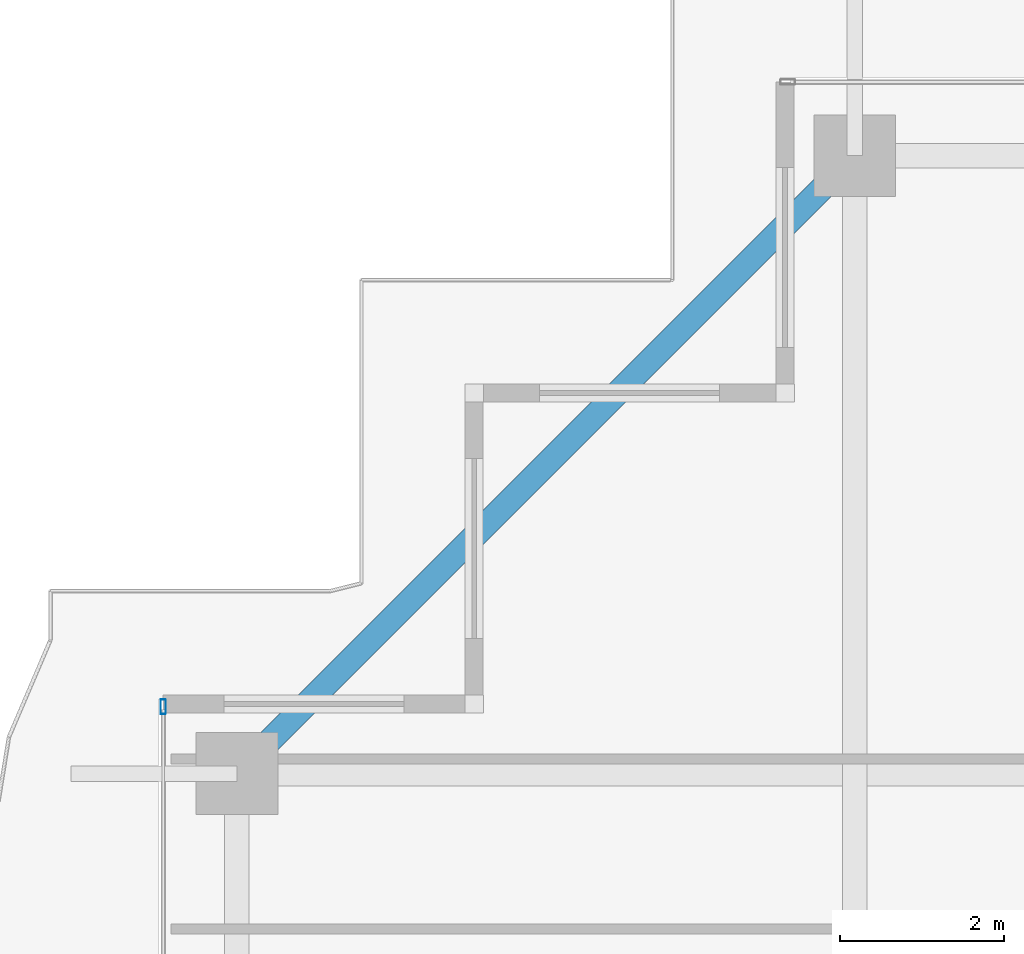
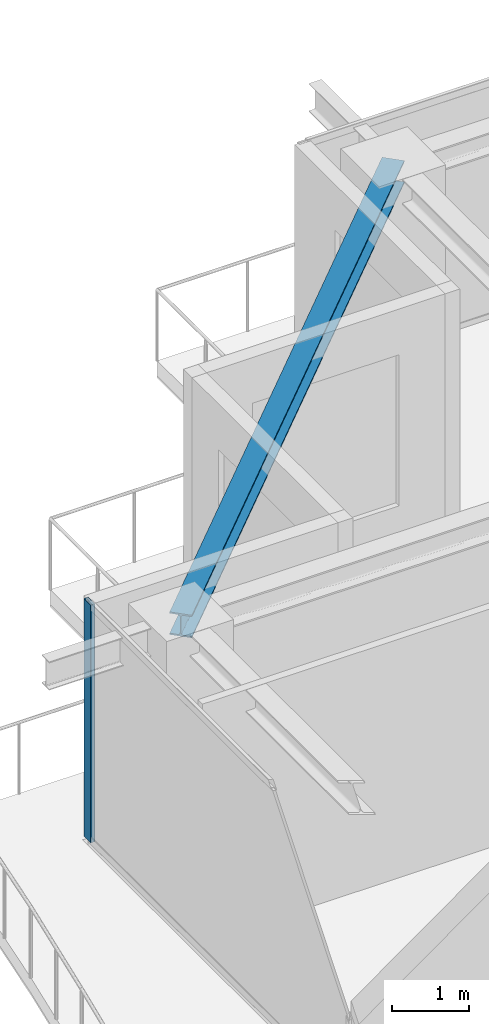
# One storey, part 19 of 38: 1 beam, 1 member, 1 element without a shape of its own.
"""IFC4 building model written with IfcOpenShell, lengths in metres."""

from ifc_helpers import new_model, si_unit, direction, frame, origin, origin_2d, place, context, subcontext, project, spatial, hollow_rectangle, i_section, extrude, source, transform, mapped, material, layer, layer_set, material_profile, profile_set, type_object, element, aggregate, save


model = new_model("IFC4")

# Units and contexts
model_context = context("Model", 3, precision=1e-05, world=origin(), true_north=direction((0.0, 1.0)))
body_context = subcontext(model_context, "Body", "Model", "MODEL_VIEW")
ifc_project = project(units=[si_unit("LENGTHUNIT", "METRE"), si_unit("AREAUNIT", "SQUARE_METRE"), si_unit("VOLUMEUNIT", "CUBIC_METRE"), si_unit("PLANEANGLEUNIT", "RADIAN"), si_unit("MASSUNIT", "GRAM", prefix="KILO")], contexts=[model_context])

# Site, building, storey
site_placement = place(None, origin())
site = spatial("IfcSite", under=ifc_project, at=site_placement, CompositionType="ELEMENT")
building_placement = place(site_placement, origin())
building = spatial("IfcBuilding", under=site, at=building_placement, Name="Serunith Strait Residences", CompositionType="ELEMENT")
storey_placement = place(building_placement, frame((0.0, 0.0, 321.800048828125)))
storey = spatial("IfcBuildingStorey", under=building, at=storey_placement, Name="L80", CompositionType="ELEMENT", Elevation=321.800048828125)

# Beam
ifc_material_1 = material(Name="Steel S355J2", Category="steel")
ifc_material_profile_1 = material_profile(ifc_material_1, i_section(OverallWidth=0.300048828125, OverallDepth=0.360107421875, WebThickness=0.012451171875, FlangeThickness=0.0224609375, FilletRadius=0.027099609375, at=origin_2d()), Name="HEB 360")
ifc_profile_set_1 = profile_set([ifc_material_profile_1], Name="Steel S355J2")
beam_type = type_object("IfcBeamType", Name="BM-HEB360", PredefinedType="BEAM", material=ifc_profile_set_1)
shared_shape_1 = source(origin(), body_context, "Body", "SweptSolid", [
    extrude(i_section(OverallWidth=0.300048828125, OverallDepth=0.360107421875, WebThickness=0.012451171875, FlangeThickness=0.0224609375, FilletRadius=0.027099609375, at=origin_2d()), origin(), (0.0, 0.0, 1.0), 10.67724609375),
])
beam_placement = place(storey_placement, frame((17.64990234375, 47.10009765625, 3.576904296875), z_axis=(-0.707095348302, -0.707118213887, 0.0), x_axis=(0.707118213887, -0.707095348302, 0.0)))
element("IfcBeam", 1, at=beam_placement, inside=storey, type_object=beam_type, Name="L80 Perimeter Ring Beam 12", PredefinedType="BEAM", context=body_context, shape_type="MappedRepresentation", body=[
    mapped(shared_shape_1, transform((0.0, 0.0, 0.0), scale=1.0)),
])

# Curtain wall, member
ifc_material_2 = material(Name="Brushed Stainless-Silver Aluminium", Category="aluminium")
ifc_layer = layer(ifc_material_2, 0.199951171875, Name="Brushed Stainless-Silver Aluminium")
ifc_layer_set = layer_set([ifc_layer], Name="Brushed Stainless-Silver Aluminium")
curtain_wall_type = type_object("IfcCurtainWallType", Name="CW-SYS5", PredefinedType="NOTDEFINED", material=ifc_layer_set)
curtain_wall_placement = place(storey_placement, origin())
curtain_wall = element("IfcCurtainWall", 2, at=curtain_wall_placement, inside=storey, type_object=curtain_wall_type, Name="L80 W Unitised Fritted Curtain Wall", PredefinedType="NOTDEFINED")
ifc_material_profile_2 = material_profile(ifc_material_2, hollow_rectangle(XDim=0.06494140625, YDim=0.179931640625, WallThickness=0.00341796875, InnerFilletRadius=0.00537109375, OuterFilletRadius=0.0087890625, at=origin_2d()), Name="ALU 180x65x3.5")
ifc_profile_set_2 = profile_set([ifc_material_profile_2], Name="Brushed Stainless-Silver Aluminium")
member_type = type_object("IfcMemberType", Name="CW-SYS5-MULL", PredefinedType="MULLION", material=ifc_profile_set_2)
shared_shape_2 = source(origin(), body_context, "Body", "SweptSolid", [
    extrude(hollow_rectangle(XDim=0.06494140625, YDim=0.179931640625, WallThickness=0.00341796875, InnerFilletRadius=0.00537109375, OuterFilletRadius=0.0087890625, at=origin_2d()), origin(), (0.0, 0.0, 1.0), 3.77490234375),
])
member_placement = place(storey_placement, frame((9.199951171875, 40.367431640625, 0.0), z_axis=(0.0, 0.0, 1.0), x_axis=(1.0, 0.0, 0.0)))
member = element("IfcMember", 3, at=member_placement, type_object=member_type, Name="CW-5 mullion 1", PredefinedType="MULLION", context=body_context, shape_type="MappedRepresentation", body=[
    mapped(shared_shape_2, transform((0.0, 0.0, 0.0), scale=1.0)),
])
aggregate(curtain_wall, [member])

save(model, "model.ifc")
